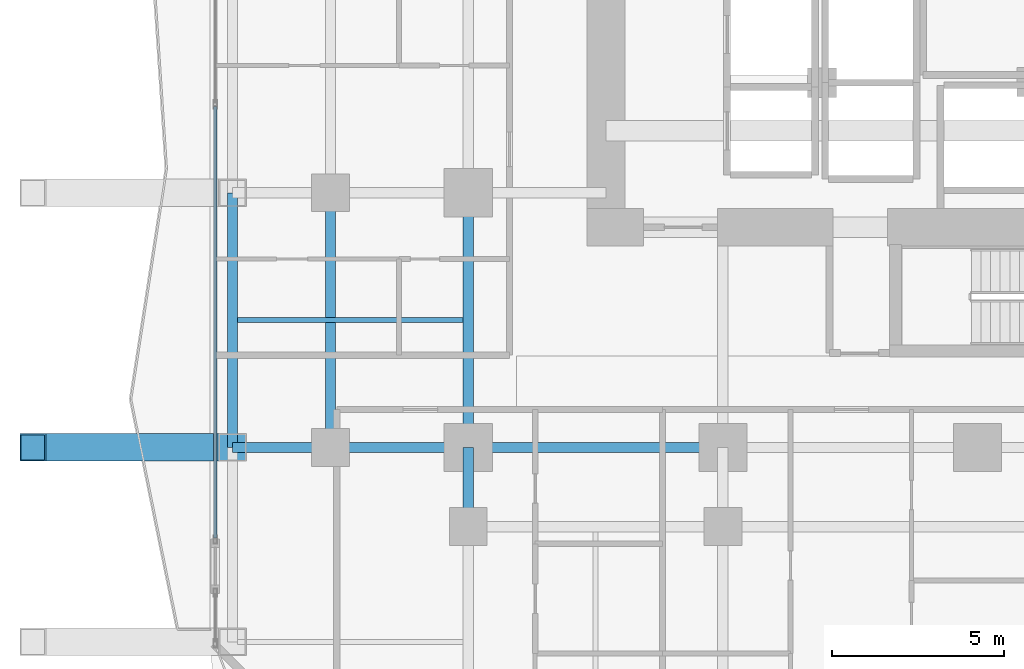
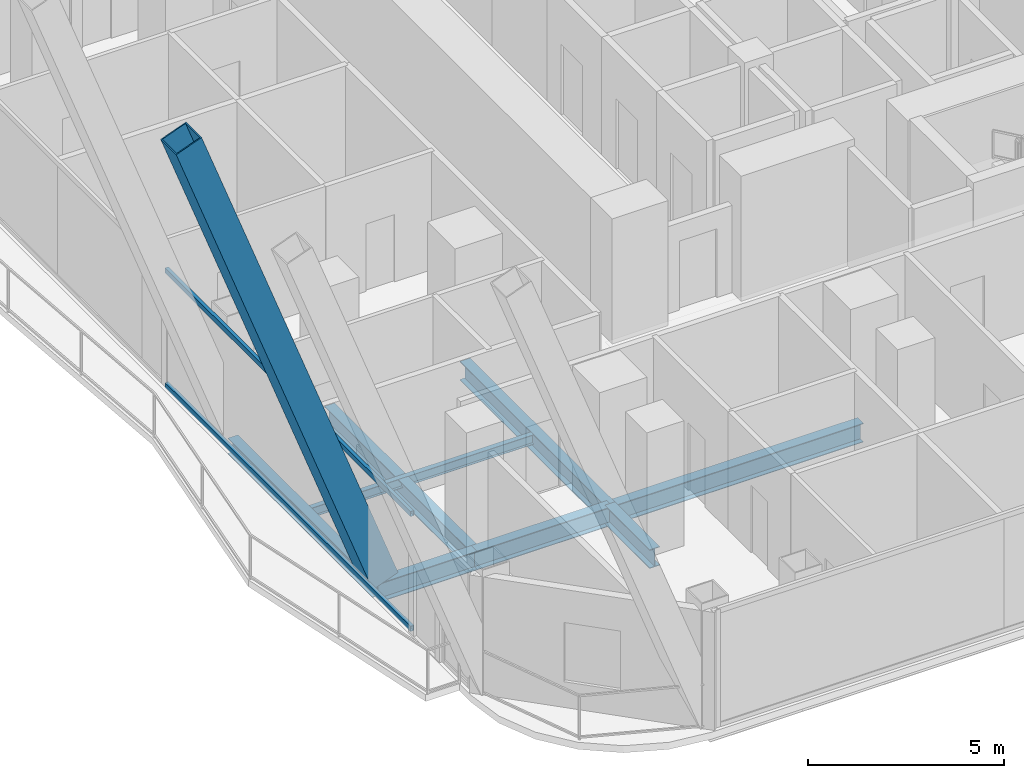
# One storey, part 4 of 33: 8 beams, 3 members, 1 element without a shape of its own.
"""IFC4 building model written with IfcOpenShell, lengths in metres."""

from ifc_helpers import new_model, si_unit, direction, frame, origin, origin_2d, place, context, subcontext, project, spatial, hollow_rectangle, i_section, extrude, material, layer, layer_set, material_profile, profile_set, type_object, element, aggregate, save


model = new_model("IFC4")

# Units and contexts
model_context = context("Model", 3, precision=1e-05, world=origin(), true_north=direction((0.0, 1.0)))
body_context = subcontext(model_context, "Body", "Model", "MODEL_VIEW")
ifc_project = project(units=[si_unit("LENGTHUNIT", "METRE"), si_unit("AREAUNIT", "SQUARE_METRE"), si_unit("VOLUMEUNIT", "CUBIC_METRE"), si_unit("PLANEANGLEUNIT", "RADIAN"), si_unit("MASSUNIT", "GRAM", prefix="KILO")], contexts=[model_context])

# Site, building, storey
site_placement = place(None, origin())
site = spatial("IfcSite", under=ifc_project, at=site_placement, CompositionType="ELEMENT")
building_placement = place(site_placement, origin())
building = spatial("IfcBuilding", under=site, at=building_placement, Name="Khorvyn Point Tower", CompositionType="ELEMENT")
storey_placement = place(building_placement, frame((0.0, 0.0, 38.39990234375)))
storey = spatial("IfcBuildingStorey", under=building, at=storey_placement, Name="L10", CompositionType="ELEMENT", Elevation=38.39990234375)

# Curtain wall, members
ifc_material_1 = material(Name="Anodised aluminium 6063-T6 and laminated Low-E glass", Category="aluminium")
ifc_layer = layer(ifc_material_1, 0.18994140625)
ifc_layer_set = layer_set([ifc_layer], Name="Stick-Built Finned Residential Curtain Wall CW-SYS-02")
curtain_wall_type = type_object("IfcCurtainWallType", Name="Stick-Built Finned Residential Curtain Wall CW-SYS-02", PredefinedType="NOTDEFINED", material=ifc_layer_set)
curtain_wall_placement = place(storey_placement, origin())
curtain_wall = element("IfcCurtainWall", 1, at=curtain_wall_placement, inside=storey, type_object=curtain_wall_type, Name="Curtain Wall", PredefinedType="NOTDEFINED")
ifc_material_2 = material(Name="Anodised aluminium 6063-T6", Category="aluminium")
ifc_material_profile_1 = material_profile(ifc_material_2, hollow_rectangle(XDim=0.10009765625, YDim=0.159912109375, WallThickness=0.00439453125, at=origin_2d()))
ifc_profile_set_1 = profile_set([ifc_material_profile_1], Name="Anodised aluminium 6063-T6 ALU-TRN-100x160")
member_type_1 = type_object("IfcMemberType", Name="Anodised Aluminium 6063-T6 Transom ALU-TRN-100x160", PredefinedType="USERDEFINED", material=ifc_profile_set_1)
member_1_placement = place(storey_placement, frame((-22.14990234375, -17.429931640625, 0.050048828125), z_axis=(0.0, 1.0, 0.0), x_axis=(-1.0, 0.0, 0.0)))
member_1 = element("IfcMember", 2, at=member_1_placement, type_object=member_type_1, Name="Transom", ObjectType="TRANSOM", PredefinedType="USERDEFINED", context=body_context, shape_type="SweptSolid", body=[
    extrude(hollow_rectangle(XDim=0.10009765625, YDim=0.159912109375, WallThickness=0.00439453125, at=origin_2d()), origin(), (0.0, 0.0, 1.0), 12.543212890625),
])
member_2_placement = place(storey_placement, frame((-22.14990234375, -17.429931640625, 3.630126953125), z_axis=(0.0, 1.0, 0.0), x_axis=(-1.0, 0.0, 0.0)))
member_2 = element("IfcMember", 3, at=member_2_placement, type_object=member_type_1, Name="Transom", ObjectType="TRANSOM", PredefinedType="USERDEFINED", context=body_context, shape_type="SweptSolid", body=[
    extrude(hollow_rectangle(XDim=0.10009765625, YDim=0.159912109375, WallThickness=0.00439453125, at=origin_2d()), origin(), (0.0, 0.0, 1.0), 12.543212890625),
])
aggregate(curtain_wall, [member_1, member_2])

# Beams
ifc_material_3 = material(Name="Steel S355", Category="steel")
ifc_material_profile_2 = material_profile(ifc_material_3, i_section(OverallWidth=0.300048828125, OverallDepth=0.587890625, WebThickness=0.011962890625, FlangeThickness=0.02001953125, at=origin_2d()))
ifc_profile_set_2 = profile_set([ifc_material_profile_2], Name="Steel S355 H588x300x12x20")
beam_type_1 = type_object("IfcBeamType", Name="Steel S355 Beam H588x300x12x20", PredefinedType="BEAM", material=ifc_profile_set_2)
beam_1_placement = place(storey_placement, frame((-21.64990234375, -14.800048828125, -0.513916015625), z_axis=(1.0, 0.0, 0.0), x_axis=(0.0, 1.0, 0.0)))
element("IfcBeam", 4, at=beam_1_placement, inside=storey, type_object=beam_type_1, Name="Beam", PredefinedType="BEAM", context=body_context, shape_type="SweptSolid", body=[
    extrude(i_section(OverallWidth=0.300048828125, OverallDepth=0.587890625, WebThickness=0.011962890625, FlangeThickness=0.02001953125, at=origin_2d()), origin(), (0.0, 0.0, 1.0), 2.849853515625),
])
beam_2_placement = place(storey_placement, frame((-18.800048828125, -14.800048828125, -0.513916015625), z_axis=(1.0, 0.0, 0.0), x_axis=(0.0, 1.0, 0.0)))
element("IfcBeam", 5, at=beam_2_placement, inside=storey, type_object=beam_type_1, Name="Beam", PredefinedType="BEAM", context=body_context, shape_type="SweptSolid", body=[
    extrude(i_section(OverallWidth=0.300048828125, OverallDepth=0.587890625, WebThickness=0.011962890625, FlangeThickness=0.02001953125, at=origin_2d()), origin(), (0.0, 0.0, 1.0), 4.0),
])
beam_3_placement = place(storey_placement, frame((-14.800048828125, -14.800048828125, -0.513916015625), z_axis=(1.0, 0.0, 0.0), x_axis=(0.0, 1.0, 0.0)))
element("IfcBeam", 6, at=beam_3_placement, inside=storey, type_object=beam_type_1, Name="Beam", PredefinedType="BEAM", context=body_context, shape_type="SweptSolid", body=[
    extrude(i_section(OverallWidth=0.300048828125, OverallDepth=0.587890625, WebThickness=0.011962890625, FlangeThickness=0.02001953125, at=origin_2d()), origin(), (0.0, 0.0, 1.0), 7.400146484375),
])
beam_4_placement = place(storey_placement, frame((-14.800048828125, -17.10009765625, -0.513916015625), z_axis=(0.0, 1.0, 0.0), x_axis=(-1.0, 0.0, 0.0)))
element("IfcBeam", 7, at=beam_4_placement, inside=storey, type_object=beam_type_1, Name="Beam", PredefinedType="BEAM", context=body_context, shape_type="SweptSolid", body=[
    extrude(i_section(OverallWidth=0.300048828125, OverallDepth=0.587890625, WebThickness=0.011962890625, FlangeThickness=0.02001953125, at=origin_2d()), origin(), (0.0, 0.0, 1.0), 2.300048828125),
])
for number, where, z_axis, x_axis, name in (
    (8, (-14.800048828125, -14.800048828125, -0.513916015625), (0.0, 1.0, 0.0), (-1.0, 0.0, 0.0), "Beam"),
    (9, (-18.800048828125, -14.800048828125, -0.513916015625), (0.0, 1.0, 0.0), (-1.0, 0.0, 0.0), "Beam"),
):
    element("IfcBeam", number, at=place(storey_placement, frame(where, z_axis=z_axis, x_axis=x_axis)), inside=storey, type_object=beam_type_1, Name=name, PredefinedType="BEAM", context=body_context, shape_type="SweptSolid", body=[
        extrude(i_section(OverallWidth=0.300048828125, OverallDepth=0.587890625, WebThickness=0.011962890625, FlangeThickness=0.02001953125, at=origin_2d()), origin(), (0.0, 0.0, 1.0), 7.400146484375),
    ])
ifc_material_profile_3 = material_profile(ifc_material_3, i_section(OverallWidth=0.14990234375, OverallDepth=0.300048828125, WebThickness=0.006591796875, FlangeThickness=0.009033203125, at=origin_2d()))
ifc_profile_set_3 = profile_set([ifc_material_profile_3], Name="Steel S355 H300x150x6.5x9")
beam_type_2 = type_object("IfcBeamType", Name="Steel S355 Joist H300x150x6.5x9", PredefinedType="JOIST", material=ifc_profile_set_3)
beam_5_placement = place(storey_placement, frame((-21.5, -11.10009765625, -0.369873046875), z_axis=(1.0, 0.0, 0.0), x_axis=(0.0, 1.0, 0.0)))
element("IfcBeam", 10, at=beam_5_placement, inside=storey, type_object=beam_type_2, Name="Beam", PredefinedType="JOIST", context=body_context, shape_type="SweptSolid", body=[
    extrude(i_section(OverallWidth=0.14990234375, OverallDepth=0.300048828125, WebThickness=0.006591796875, FlangeThickness=0.009033203125, at=origin_2d()), origin(), (0.0, 0.0, 1.0), 6.550048828125),
])
ifc_material_profile_4 = material_profile(ifc_material_3, i_section(OverallWidth=0.300048828125, OverallDepth=0.488037109375, WebThickness=0.010986328125, FlangeThickness=0.01806640625, at=origin_2d()))
ifc_profile_set_4 = profile_set([ifc_material_profile_4], Name="Steel S355 H488x300x11x18")
beam_type_3 = type_object("IfcBeamType", Name="Steel S355 Spandrel H488x300x11x18", PredefinedType="SPANDREL", material=ifc_profile_set_4)
beam_6_placement = place(storey_placement, frame((-21.64990234375, -14.800048828125, -0.4638671875), z_axis=(0.0, 1.0, 0.0), x_axis=(-1.0, 0.0, 0.0)))
element("IfcBeam", 11, at=beam_6_placement, inside=storey, type_object=beam_type_3, Name="Beam", PredefinedType="SPANDREL", context=body_context, shape_type="SweptSolid", body=[
    extrude(i_section(OverallWidth=0.300048828125, OverallDepth=0.488037109375, WebThickness=0.010986328125, FlangeThickness=0.01806640625, at=origin_2d()), origin(), (0.0, 0.0, 1.0), 7.400146484375),
])

# Member
ifc_material_4 = material(Name="Steel S450", Category="steel")
ifc_material_profile_5 = material_profile(ifc_material_4, hollow_rectangle(XDim=0.800048828125, YDim=0.800048828125, WallThickness=0.035888671875, at=origin_2d()))
ifc_profile_set_5 = profile_set([ifc_material_profile_5], Name="Steel S450 BOX800x800x36")
member_type_2 = type_object("IfcMemberType", Name="Steel S450 Exoskeleton Structural Post BOX800x800x36", PredefinedType="POST", material=ifc_profile_set_5)
member_3_placement = place(storey_placement, frame((-21.64990234375, -14.800048828125, 0.0), z_axis=(-0.348488886408, 0.0, 0.937312912559), x_axis=(0.0, -1.0, 0.0)))
element("IfcMember", 12, at=member_3_placement, inside=storey, type_object=member_type_2, Name="L10 to L14 Exoskeleton Transfer Post 09", PredefinedType="POST", context=body_context, shape_type="SweptSolid", body=[
    extrude(hollow_rectangle(XDim=0.800048828125, YDim=0.800048828125, WallThickness=0.035888671875, at=origin_2d()), origin(), (0.0, 0.0, 1.0), 16.643310546875),
])

save(model, "model.ifc")
